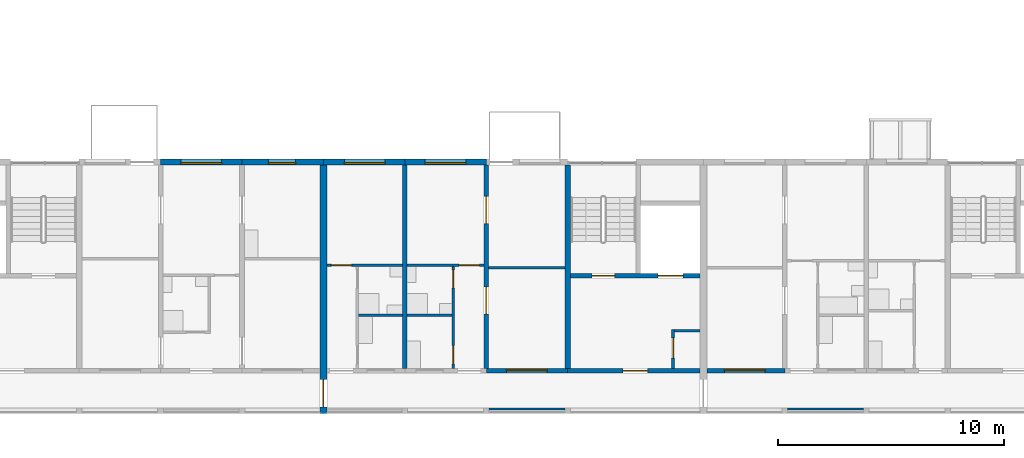
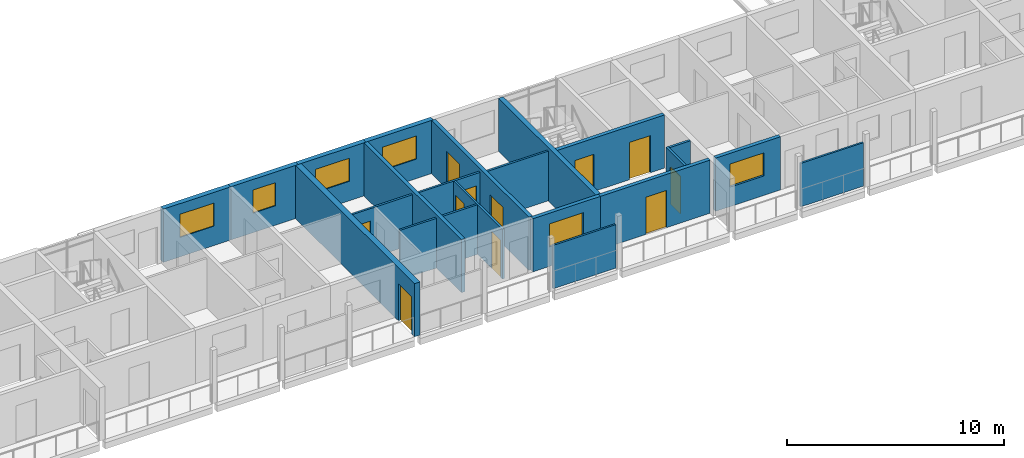
# One storey, part 42 of 78: 22 walls, 11 doors, 6 windows, 17 openings.
"""IFC4 building model written with IfcOpenShell, lengths in metres."""

from ifc_helpers import new_model, si_unit, direction, frame, frame_2d, origin, place, context, subcontext, project, spatial, rectangle, extrude, material, layer, layer_set, type_object, element, fill, save


model = new_model("IFC4")

# Units and contexts
model_context = context("Model", 3, precision=1e-05, world=origin(), true_north=direction((0.0, 1.0)))
body_context = subcontext(model_context, "Body", "Model", "MODEL_VIEW")
ifc_project = project(units=[si_unit("LENGTHUNIT", "METRE"), si_unit("AREAUNIT", "SQUARE_METRE"), si_unit("VOLUMEUNIT", "CUBIC_METRE"), si_unit("PLANEANGLEUNIT", "RADIAN"), si_unit("MASSUNIT", "GRAM", prefix="KILO")], contexts=[model_context])

# Site, building, storey
site_placement = place(None, origin())
site = spatial("IfcSite", under=ifc_project, at=site_placement, CompositionType="ELEMENT")
building_placement = place(site_placement, origin())
building = spatial("IfcBuilding", under=site, at=building_placement, Name="Ridgestep Commons", CompositionType="ELEMENT")
storey_placement = place(building_placement, frame((0.0, 0.0, 30.0)))
storey = spatial("IfcBuildingStorey", under=building, at=storey_placement, Name="L10", CompositionType="ELEMENT", Elevation=30.0)

# Wall
ifc_material_1 = material(Name="Concrete C30/37", Category="concrete")
ifc_layer_1 = layer(ifc_material_1, 0.25)
ifc_layer_set_1 = layer_set([ifc_layer_1], Name="Core cross wall 250")
wall_type_1 = type_object("IfcWallType", Name="Core cross wall 250", PredefinedType="SHEAR", material=ifc_layer_set_1)
wall_1_placement = place(storey_placement, frame((191.199951171875, 13.75, 0.0), z_axis=(0.0, 0.0, 1.0), x_axis=(0.0, 1.0, 0.0)))
element("IfcWall", 1, at=wall_1_placement, inside=storey, type_object=wall_type_1, Name="Cross wall D-10-1912", PredefinedType="SHEAR", context=body_context, shape_type="SweptSolid", body=[
    extrude(rectangle(XDim=9.0, YDim=0.25, at=frame_2d((4.5, 0.0))), origin(), (0.0, 0.0, 1.0), 3.0),
])

# Wall, opening, door
ifc_material_2 = material(Name="Concrete C30/37", Category="concrete")
ifc_layer_2 = layer(ifc_material_2, 0.199951171875)
ifc_layer_set_2 = layer_set([ifc_layer_2], Name="Core south wall 200")
wall_type_2 = type_object("IfcWallType", Name="Core south wall 200", PredefinedType="SHEAR", material=ifc_layer_set_2)
wall_2_placement = place(storey_placement, frame((191.199951171875, 13.64990234375, 0.0), z_axis=(0.0, 0.0, 1.0), x_axis=(1.0, 0.0, 0.0)))
wall_2 = element("IfcWall", 2, at=wall_2_placement, inside=storey, type_object=wall_type_2, Name="Core south wall D3C L10", PredefinedType="SHEAR", context=body_context, shape_type="SweptSolid", body=[
    extrude(rectangle(XDim=5.85009765625, YDim=0.199951171875, at=frame_2d((2.925048828125, 0.0))), origin(), (0.0, 0.0, 1.0), 3.0),
])
opening_1_placement = place(wall_2_placement, frame((2.4375, 0.0, 0.0)))
opening_1 = element("IfcOpeningElement", 3, at=opening_1_placement, cuts=wall_2, Name="Opening D3C/10/1", PredefinedType="OPENING", context=body_context, shape_type="SweptSolid", body=[
    extrude(rectangle(XDim=1.10009765625, YDim=2.10009765625, at=frame_2d((0.550048828125, 1.050048828125))), frame((0.0, 0.10986328125, 0.0), z_axis=(0.0, -1.0, 0.0), x_axis=(1.0, 0.0, 0.0)), (0.0, 0.0, 1.0), 0.219970703125),
])
ifc_material_3 = material(Name="Steel fire door", Category="steel")
door_type_1 = type_object("IfcDoorType", Name="Lobby door 1100 x 2100 FD60", OperationType="NOTDEFINED", PredefinedType="DOOR", material=ifc_material_3)
door_1_placement = place(opening_1_placement, origin())
door_1 = element("IfcDoor", 4, at=door_1_placement, inside=storey, type_object=door_type_1, Name="Lobby door D3C/10/1", OperationType="SINGLE_SWING_LEFT", OverallHeight=2.10009765625, OverallWidth=1.10009765625, PredefinedType="DOOR", context=body_context, shape_type="SweptSolid", body=[
    extrude(rectangle(XDim=1.10009765625, YDim=2.10009765625, at=frame_2d((0.550048828125, 1.050048828125))), frame((0.0, 0.02490234375, 0.0), z_axis=(0.0, -1.0, 0.0), x_axis=(1.0, 0.0, 0.0)), (0.0, 0.0, 1.0), 0.050048828125),
])
fill(opening_1, door_1)

ifc_material_4 = material(Name="Concrete C30/37", Category="concrete")
ifc_layer_3 = layer(ifc_material_4, 0.1201171875)
ifc_layer_set_3 = layer_set([ifc_layer_3], Name="Core wall 120")
wall_type_3 = type_object("IfcWallType", Name="Core wall 120", PredefinedType="SHEAR", material=ifc_layer_set_3)
wall_3_placement = place(storey_placement, frame((195.860107421875, 13.75, 0.0), z_axis=(0.0, 0.0, 1.0), x_axis=(0.0, 1.0, 0.0)))
wall_3 = element("IfcWall", 5, at=wall_3_placement, inside=storey, type_object=wall_type_3, Name="Core riser w wall D3C L10", PredefinedType="SHEAR", context=body_context, shape_type="SweptSolid", body=[
    extrude(rectangle(XDim=1.719970703125, YDim=0.1201171875, at=frame_2d((0.85986328125, 0.0))), origin(), (0.0, 0.0, 1.0), 3.0),
])
opening_2_placement = place(wall_3_placement, frame((0.449951171875, 0.0, 0.0)))
opening_2 = element("IfcOpeningElement", 6, at=opening_2_placement, cuts=wall_3, Name="Opening D3C/10/4", PredefinedType="OPENING", context=body_context, shape_type="SweptSolid", body=[
    extrude(rectangle(XDim=0.89990234375, YDim=2.10009765625, at=frame_2d((0.449951171875, 1.050048828125))), frame((0.0, 0.070068359375, 0.0), z_axis=(0.0, -1.0, 0.0), x_axis=(1.0, 0.0, 0.0)), (0.0, 0.0, 1.0), 0.14013671875),
])
ifc_material_5 = material(Name="Steel fire door", Category="steel")
door_type_2 = type_object("IfcDoorType", Name="Riser door 900 x 2100 FD60", OperationType="NOTDEFINED", PredefinedType="DOOR", material=ifc_material_5)
door_2_placement = place(opening_2_placement, origin())
door_2 = element("IfcDoor", 7, at=door_2_placement, inside=storey, type_object=door_type_2, Name="Riser door D3C/10/4", OperationType="SINGLE_SWING_LEFT", OverallHeight=2.10009765625, OverallWidth=0.89990234375, PredefinedType="DOOR", context=body_context, shape_type="SweptSolid", body=[
    extrude(rectangle(XDim=0.89990234375, YDim=2.10009765625, at=frame_2d((0.449951171875, 1.050048828125))), frame((0.0, 0.02490234375, 0.0), z_axis=(0.0, -1.0, 0.0), x_axis=(1.0, 0.0, 0.0)), (0.0, 0.0, 1.0), 0.050048828125),
])
fill(opening_2, door_2)

# Wall
wall_4_placement = place(storey_placement, frame((195.919921875, 15.409912109375, 0.0), z_axis=(0.0, 0.0, 1.0), x_axis=(1.0, 0.0, 0.0)))
element("IfcWall", 8, at=wall_4_placement, inside=storey, type_object=wall_type_3, Name="Core riser n wall D3C L10", PredefinedType="SHEAR", context=body_context, shape_type="SweptSolid", body=[
    extrude(rectangle(XDim=1.130126953125, YDim=0.1201171875, at=frame_2d((0.56494140625, 0.0))), origin(), (0.0, 0.0, 1.0), 3.0),
])

# Wall, openings, doors
ifc_material_6 = material(Name="Concrete C30/37", Category="concrete")
ifc_layer_4 = layer(ifc_material_6, 0.199951171875)
ifc_layer_set_4 = layer_set([ifc_layer_4], Name="Core wall 200")
wall_type_4 = type_object("IfcWallType", Name="Core wall 200", PredefinedType="SHEAR", material=ifc_layer_set_4)
wall_5_placement = place(storey_placement, frame((191.324951171875, 17.85009765625, 0.0), z_axis=(0.0, 0.0, 1.0), x_axis=(1.0, 0.0, 0.0)))
wall_5 = element("IfcWall", 9, at=wall_5_placement, inside=storey, type_object=wall_type_4, Name="Core lobby wall D3C L10", PredefinedType="SHEAR", context=body_context, shape_type="SweptSolid", body=[
    extrude(rectangle(XDim=5.72509765625, YDim=0.199951171875, at=frame_2d((2.862548828125, 0.0))), origin(), (0.0, 0.0, 1.0), 3.0),
])
opening_3_placement = place(wall_5_placement, frame((0.949951171875, 0.0, 0.0)))
opening_3 = element("IfcOpeningElement", 10, at=opening_3_placement, cuts=wall_5, Name="Opening D3C/10/2", PredefinedType="OPENING", context=body_context, shape_type="SweptSolid", body=[
    extrude(rectangle(XDim=1.0, YDim=2.10009765625, at=frame_2d((0.5, 1.050048828125))), frame((0.0, 0.10986328125, 0.0), z_axis=(0.0, -1.0, 0.0), x_axis=(1.0, 0.0, 0.0)), (0.0, 0.0, 1.0), 0.219970703125),
])
opening_4_placement = place(wall_5_placement, frame((3.862548828125, 0.0, 0.0)))
opening_4 = element("IfcOpeningElement", 11, at=opening_4_placement, cuts=wall_5, Name="Opening D3C/10/3", PredefinedType="OPENING", context=body_context, shape_type="SweptSolid", body=[
    extrude(rectangle(XDim=1.10009765625, YDim=2.10009765625, at=frame_2d((0.550048828125, 1.050048828125))), frame((0.0, 0.10986328125, 0.0), z_axis=(0.0, -1.0, 0.0), x_axis=(1.0, 0.0, 0.0)), (0.0, 0.0, 1.0), 0.219970703125),
])
ifc_material_7 = material(Name="Stainless steel", Category="steel")
door_type_3 = type_object("IfcDoorType", Name="Lift landing door 1100 x 2100 FD60", OperationType="DOUBLE_DOOR_SLIDING", PredefinedType="DOOR", material=ifc_material_7)
door_3_placement = place(opening_4_placement, origin())
door_3 = element("IfcDoor", 12, at=door_3_placement, inside=storey, type_object=door_type_3, Name="Landing door LD D3C L10", OperationType="DOUBLE_DOOR_SLIDING", OverallHeight=2.10009765625, OverallWidth=1.10009765625, PredefinedType="DOOR", context=body_context, shape_type="SweptSolid", body=[
    extrude(rectangle(XDim=1.10009765625, YDim=2.10009765625, at=frame_2d((0.550048828125, 1.050048828125))), frame((0.0, 0.02490234375, 0.0), z_axis=(0.0, -1.0, 0.0), x_axis=(1.0, 0.0, 0.0)), (0.0, 0.0, 1.0), 0.050048828125),
])
fill(opening_4, door_3)
ifc_material_8 = material(Name="Steel fire door", Category="steel")
door_type_4 = type_object("IfcDoorType", Name="Stair door 1000 x 2100 FD60", OperationType="NOTDEFINED", PredefinedType="DOOR", material=ifc_material_8)
door_4_placement = place(opening_3_placement, origin())
door_4 = element("IfcDoor", 13, at=door_4_placement, inside=storey, type_object=door_type_4, Name="Stair door D3C/10/2", OperationType="SINGLE_SWING_RIGHT", OverallHeight=2.10009765625, OverallWidth=1.0, PredefinedType="DOOR", context=body_context, shape_type="SweptSolid", body=[
    extrude(rectangle(XDim=1.0, YDim=2.10009765625, at=frame_2d((0.5, 1.050048828125))), frame((0.0, 0.02490234375, 0.0), z_axis=(0.0, -1.0, 0.0), x_axis=(1.0, 0.0, 0.0)), (0.0, 0.0, 1.0), 0.050048828125),
])
fill(opening_3, door_4)

# Wall
ifc_material_9 = material(Name="Precast concrete C40/50", Category="concrete")
ifc_layer_5 = layer(ifc_material_9, 0.199951171875)
ifc_layer_set_5 = layer_set([ifc_layer_5], Name="Cross wall 200")
wall_type_5 = type_object("IfcWallType", Name="Cross wall 200", PredefinedType="SHEAR", material=ifc_layer_set_5)
wall_6_placement = place(storey_placement, frame((184.0, 13.75, 0.0), z_axis=(0.0, 0.0, 1.0), x_axis=(0.0, 1.0, 0.0)))
element("IfcWall", 14, at=wall_6_placement, inside=storey, type_object=wall_type_5, Name="Cross wall D-10-1840", PredefinedType="SHEAR", context=body_context, shape_type="SweptSolid", body=[
    extrude(rectangle(XDim=9.0, YDim=0.199951171875, at=frame_2d((4.5, 0.0))), origin(), (0.0, 0.0, 1.0), 3.0),
])

# Wall, openings, doors
wall_7_placement = place(storey_placement, frame((187.60009765625, 13.75, 0.0), z_axis=(0.0, 0.0, 1.0), x_axis=(0.0, 1.0, 0.0)))
wall_7 = element("IfcWall", 15, at=wall_7_placement, inside=storey, type_object=wall_type_5, Name="Cross wall D-10-1876", PredefinedType="SHEAR", context=body_context, shape_type="SweptSolid", body=[
    extrude(rectangle(XDim=9.0, YDim=0.199951171875, at=frame_2d((4.5, 0.0))), origin(), (0.0, 0.0, 1.0), 3.0),
])
opening_5_placement = place(wall_7_placement, frame((2.39990234375, 0.0, 0.0)))
opening_5 = element("IfcOpeningElement", 16, at=opening_5_placement, cuts=wall_7, Name="Opening D3-10b/5", PredefinedType="OPENING", context=body_context, shape_type="SweptSolid", body=[
    extrude(rectangle(XDim=1.199951171875, YDim=2.10009765625, at=frame_2d((0.60009765625, 1.050048828125))), frame((0.0, 0.10986328125, 0.0), z_axis=(0.0, -1.0, 0.0), x_axis=(1.0, 0.0, 0.0)), (0.0, 0.0, 1.0), 0.219970703125),
])
opening_6_placement = place(wall_7_placement, frame((6.39990234375, 0.0, 0.0)))
opening_6 = element("IfcOpeningElement", 17, at=opening_6_placement, cuts=wall_7, Name="Opening D3-10b/6", PredefinedType="OPENING", context=body_context, shape_type="SweptSolid", body=[
    extrude(rectangle(XDim=1.199951171875, YDim=2.10009765625, at=frame_2d((0.60009765625, 1.050048828125))), frame((0.0, 0.10986328125, 0.0), z_axis=(0.0, -1.0, 0.0), x_axis=(1.0, 0.0, 0.0)), (0.0, 0.0, 1.0), 0.219970703125),
])
ifc_material_10 = material(Name="Timber door leaf", Category="wood")
door_type_5 = type_object("IfcDoorType", Name="Double door 1200 x 2100", OperationType="DOUBLE_DOOR_SINGLE_SWING", PredefinedType="DOOR", material=ifc_material_10)
door_5_placement = place(opening_5_placement, origin())
door_5 = element("IfcDoor", 18, at=door_5_placement, inside=storey, type_object=door_type_5, Name="Double door D3-10b/5", OperationType="DOUBLE_DOOR_SINGLE_SWING", OverallHeight=2.10009765625, OverallWidth=1.199951171875, PredefinedType="DOOR", context=body_context, shape_type="SweptSolid", body=[
    extrude(rectangle(XDim=1.199951171875, YDim=2.10009765625, at=frame_2d((0.60009765625, 1.050048828125))), frame((0.0, 0.02490234375, 0.0), z_axis=(0.0, -1.0, 0.0), x_axis=(1.0, 0.0, 0.0)), (0.0, 0.0, 1.0), 0.050048828125),
])
fill(opening_5, door_5)
door_6_placement = place(opening_6_placement, origin())
door_6 = element("IfcDoor", 19, at=door_6_placement, inside=storey, type_object=door_type_5, Name="Double door D3-10b/6", OperationType="DOUBLE_DOOR_SINGLE_SWING", OverallHeight=2.10009765625, OverallWidth=1.199951171875, PredefinedType="DOOR", context=body_context, shape_type="SweptSolid", body=[
    extrude(rectangle(XDim=1.199951171875, YDim=2.10009765625, at=frame_2d((0.60009765625, 1.050048828125))), frame((0.0, 0.02490234375, 0.0), z_axis=(0.0, -1.0, 0.0), x_axis=(1.0, 0.0, 0.0)), (0.0, 0.0, 1.0), 0.050048828125),
])
fill(opening_6, door_6)

# Wall, opening, door
ifc_material_11 = material(Name="Precast concrete C40/50", Category="concrete")
ifc_layer_6 = layer(ifc_material_11, 0.300048828125)
ifc_layer_set_6 = layer_set([ifc_layer_6], Name="Division wall 300")
wall_type_6 = type_object("IfcWallType", Name="Division wall 300", PredefinedType="SHEAR", material=ifc_layer_set_6)
wall_8_placement = place(storey_placement, frame((180.39990234375, 11.75, 0.0), z_axis=(0.0, 0.0, 1.0), x_axis=(0.0, 1.0, 0.0)))
wall_8 = element("IfcWall", 20, at=wall_8_placement, inside=storey, type_object=wall_type_6, Name="Cross wall D-10-1804", PredefinedType="SHEAR", context=body_context, shape_type="SweptSolid", body=[
    extrude(rectangle(XDim=11.0, YDim=0.300048828125, at=frame_2d((5.5, 0.0))), origin(), (0.0, 0.0, 1.0), 3.0),
])
opening_7_placement = place(wall_8_placement, frame((0.300048828125, 0.0, 0.0)))
opening_7 = element("IfcOpeningElement", 21, at=opening_7_placement, cuts=wall_8, Name="Opening D/10/G1804", PredefinedType="OPENING", context=body_context, shape_type="SweptSolid", body=[
    extrude(rectangle(XDim=1.199951171875, YDim=2.10009765625, at=frame_2d((0.60009765625, 1.050048828125))), frame((0.0, 0.159912109375, 0.0), z_axis=(0.0, -1.0, 0.0), x_axis=(1.0, 0.0, 0.0)), (0.0, 0.0, 1.0), 0.320068359375),
])
ifc_material_12 = material(Name="Steel fire door", Category="steel")
door_type_6 = type_object("IfcDoorType", Name="Division fire door 1200 x 2100 EI 240", OperationType="DOUBLE_DOOR_SINGLE_SWING", PredefinedType="DOOR", material=ifc_material_12)
door_7_placement = place(opening_7_placement, origin())
door_7 = element("IfcDoor", 22, at=door_7_placement, inside=storey, type_object=door_type_6, Name="Division fire door D/10/G1804", OperationType="DOUBLE_DOOR_SINGLE_SWING", OverallHeight=2.10009765625, OverallWidth=1.199951171875, PredefinedType="DOOR", context=body_context, shape_type="SweptSolid", body=[
    extrude(rectangle(XDim=1.199951171875, YDim=2.10009765625, at=frame_2d((0.60009765625, 1.050048828125))), frame((0.0, 0.02490234375, 0.0), z_axis=(0.0, -1.0, 0.0), x_axis=(1.0, 0.0, 0.0)), (0.0, 0.0, 1.0), 0.050048828125),
])
fill(opening_7, door_7)

# Wall, opening, window
ifc_material_13 = material(Name="Precast concrete C40/50", Category="concrete")
ifc_layer_7 = layer(ifc_material_13, 0.25)
ifc_layer_set_7 = layer_set([ifc_layer_7], Name="North facade panel 250")
wall_type_7 = type_object("IfcWallType", Name="North facade panel 250", PredefinedType="SOLIDWALL", material=ifc_layer_set_7)
wall_9_placement = place(storey_placement, frame((173.199951171875, 22.875, 0.0), z_axis=(0.0, 0.0, 1.0), x_axis=(1.0, 0.0, 0.0)))
wall_9 = element("IfcWall", 23, at=wall_9_placement, inside=storey, type_object=wall_type_7, Name="North panel D2T2 L10", PredefinedType="SOLIDWALL", context=body_context, shape_type="SweptSolid", body=[
    extrude(rectangle(XDim=3.60009765625, YDim=0.25, at=frame_2d((1.800048828125, 0.0))), origin(), (0.0, 0.0, 1.0), 3.0),
])
opening_8_placement = place(wall_9_placement, frame((0.89990234375, 0.0, 1.10009765625)))
opening_8 = element("IfcOpeningElement", 24, at=opening_8_placement, cuts=wall_9, Name="Opening W18", PredefinedType="OPENING", context=body_context, shape_type="SweptSolid", body=[
    extrude(rectangle(XDim=1.800048828125, YDim=1.300048828125, at=frame_2d((0.89990234375, 0.64990234375))), frame((0.0, 0.135009765625, 0.0), z_axis=(0.0, -1.0, 0.0), x_axis=(1.0, 0.0, 0.0)), (0.0, 0.0, 1.0), 0.27001953125),
])
ifc_material_14 = material(Name="Aluminium 6063-T6 and glass", Category="aluminium")
window_type_1 = type_object("IfcWindowType", Name="Flat window 1800 x 1300", PartitioningType="DOUBLE_PANEL_VERTICAL", PredefinedType="WINDOW", material=ifc_material_14)
window_1_placement = place(opening_8_placement, origin())
window_1 = element("IfcWindow", 25, at=window_1_placement, inside=storey, type_object=window_type_1, Name="Window D2-10a 5", OverallHeight=1.300048828125, OverallWidth=1.800048828125, PartitioningType="SINGLE_PANEL", PredefinedType="WINDOW", context=body_context, shape_type="SweptSolid", body=[
    extrude(rectangle(XDim=1.800048828125, YDim=1.300048828125, at=frame_2d((0.89990234375, 0.64990234375))), frame((0.0, -0.02490234375, 0.0), z_axis=(0.0, -1.0, 0.0), x_axis=(1.0, 0.0, 0.0)), (0.0, 0.0, 1.0), 0.06005859375),
])
fill(opening_8, window_1)

wall_10_placement = place(storey_placement, frame((176.800048828125, 22.875, 0.0), z_axis=(0.0, 0.0, 1.0), x_axis=(1.0, 0.0, 0.0)))
wall_10 = element("IfcWall", 26, at=wall_10_placement, inside=storey, type_object=wall_type_7, Name="North panel D2T1 L10", PredefinedType="SOLIDWALL", context=body_context, shape_type="SweptSolid", body=[
    extrude(rectangle(XDim=3.599853515625, YDim=0.25, at=frame_2d((1.7998046875, 0.0))), origin(), (0.0, 0.0, 1.0), 3.0),
])
opening_9_placement = place(wall_10_placement, frame((1.175048828125, 0.0, 1.10009765625)))
opening_9 = element("IfcOpeningElement", 27, at=opening_9_placement, cuts=wall_10, Name="Opening W08", PredefinedType="OPENING", context=body_context, shape_type="SweptSolid", body=[
    extrude(rectangle(XDim=1.199951171875, YDim=1.300048828125, at=frame_2d((0.60009765625, 0.64990234375))), frame((0.0, 0.135009765625, 0.0), z_axis=(0.0, -1.0, 0.0), x_axis=(1.0, 0.0, 0.0)), (0.0, 0.0, 1.0), 0.27001953125),
])
ifc_material_15 = material(Name="Aluminium 6063-T6 and glass", Category="aluminium")
window_type_2 = type_object("IfcWindowType", Name="Flat window 1200 x 1300", PartitioningType="SINGLE_PANEL", PredefinedType="WINDOW", material=ifc_material_15)
window_2_placement = place(opening_9_placement, origin())
window_2 = element("IfcWindow", 28, at=window_2_placement, inside=storey, type_object=window_type_2, Name="Window D2-10a 4", OverallHeight=1.300048828125, OverallWidth=1.199951171875, PartitioningType="SINGLE_PANEL", PredefinedType="WINDOW", context=body_context, shape_type="SweptSolid", body=[
    extrude(rectangle(XDim=1.199951171875, YDim=1.300048828125, at=frame_2d((0.60009765625, 0.64990234375))), frame((0.0, -0.02490234375, 0.0), z_axis=(0.0, -1.0, 0.0), x_axis=(1.0, 0.0, 0.0)), (0.0, 0.0, 1.0), 0.06005859375),
])
fill(opening_9, window_2)

wall_11_placement = place(storey_placement, frame((180.39990234375, 22.875, 0.0), z_axis=(0.0, 0.0, 1.0), x_axis=(1.0, 0.0, 0.0)))
wall_11 = element("IfcWall", 29, at=wall_11_placement, inside=storey, type_object=wall_type_7, Name="North panel D3T1 L10", PredefinedType="SOLIDWALL", context=body_context, shape_type="SweptSolid", body=[
    extrude(rectangle(XDim=3.60009765625, YDim=0.25, at=frame_2d((1.800048828125, 0.0))), origin(), (0.0, 0.0, 1.0), 3.0),
])
opening_10_placement = place(wall_11_placement, frame((0.925048828125, 0.0, 1.10009765625)))
opening_10 = element("IfcOpeningElement", 30, at=opening_10_placement, cuts=wall_11, Name="Opening W18", PredefinedType="OPENING", context=body_context, shape_type="SweptSolid", body=[
    extrude(rectangle(XDim=1.800048828125, YDim=1.300048828125, at=frame_2d((0.89990234375, 0.64990234375))), frame((0.0, 0.135009765625, 0.0), z_axis=(0.0, -1.0, 0.0), x_axis=(1.0, 0.0, 0.0)), (0.0, 0.0, 1.0), 0.27001953125),
])
window_3_placement = place(opening_10_placement, origin())
window_3 = element("IfcWindow", 31, at=window_3_placement, inside=storey, type_object=window_type_1, Name="Window D3-10a 2", OverallHeight=1.300048828125, OverallWidth=1.800048828125, PartitioningType="SINGLE_PANEL", PredefinedType="WINDOW", context=body_context, shape_type="SweptSolid", body=[
    extrude(rectangle(XDim=1.800048828125, YDim=1.300048828125, at=frame_2d((0.89990234375, 0.64990234375))), frame((0.0, -0.02490234375, 0.0), z_axis=(0.0, -1.0, 0.0), x_axis=(1.0, 0.0, 0.0)), (0.0, 0.0, 1.0), 0.06005859375),
])
fill(opening_10, window_3)

wall_12_placement = place(storey_placement, frame((184.0, 22.875, 0.0), z_axis=(0.0, 0.0, 1.0), x_axis=(1.0, 0.0, 0.0)))
wall_12 = element("IfcWall", 32, at=wall_12_placement, inside=storey, type_object=wall_type_7, Name="North panel D3T2 L10", PredefinedType="SOLIDWALL", context=body_context, shape_type="SweptSolid", body=[
    extrude(rectangle(XDim=3.60009765625, YDim=0.25, at=frame_2d((1.800048828125, 0.0))), origin(), (0.0, 0.0, 1.0), 3.0),
])
opening_11_placement = place(wall_12_placement, frame((0.89990234375, 0.0, 1.10009765625)))
opening_11 = element("IfcOpeningElement", 33, at=opening_11_placement, cuts=wall_12, Name="Opening W18", PredefinedType="OPENING", context=body_context, shape_type="SweptSolid", body=[
    extrude(rectangle(XDim=1.800048828125, YDim=1.300048828125, at=frame_2d((0.89990234375, 0.64990234375))), frame((0.0, 0.135009765625, 0.0), z_axis=(0.0, -1.0, 0.0), x_axis=(1.0, 0.0, 0.0)), (0.0, 0.0, 1.0), 0.27001953125),
])
window_4_placement = place(opening_11_placement, origin())
window_4 = element("IfcWindow", 34, at=window_4_placement, inside=storey, type_object=window_type_1, Name="Window D3-10b 4", OverallHeight=1.300048828125, OverallWidth=1.800048828125, PartitioningType="SINGLE_PANEL", PredefinedType="WINDOW", context=body_context, shape_type="SweptSolid", body=[
    extrude(rectangle(XDim=1.800048828125, YDim=1.300048828125, at=frame_2d((0.89990234375, 0.64990234375))), frame((0.0, -0.02490234375, 0.0), z_axis=(0.0, -1.0, 0.0), x_axis=(1.0, 0.0, 0.0)), (0.0, 0.0, 1.0), 0.06005859375),
])
fill(opening_11, window_4)

# Wall
ifc_material_16 = material(Name="Common brick 110 mm", Category="masonry")
ifc_layer_8 = layer(ifc_material_16, 0.110107421875)
ifc_layer_set_8 = layer_set([ifc_layer_8], Name="Partition 110")
wall_type_8 = type_object("IfcWallType", Name="Partition 110", PredefinedType="PARTITIONING", material=ifc_layer_set_8)
wall_13_placement = place(storey_placement, frame((181.9599609375, 16.10498046875, 0.0), z_axis=(0.0, 0.0, 1.0), x_axis=(1.0, 0.0, 0.0)))
element("IfcWall", 35, at=wall_13_placement, inside=storey, type_object=wall_type_8, Name="Partition D3-10a", PredefinedType="PARTITIONING", context=body_context, shape_type="SweptSolid", body=[
    extrude(rectangle(XDim=1.93994140625, YDim=0.110107421875, at=frame_2d((0.969970703125, 0.0))), origin(), (0.0, 0.0, 1.0), 2.800048828125),
])

# Wall, opening, door
wall_14_placement = place(storey_placement, frame((180.550048828125, 18.304931640625, 0.0), z_axis=(0.0, 0.0, 1.0), x_axis=(1.0, 0.0, 0.0)))
wall_14 = element("IfcWall", 36, at=wall_14_placement, inside=storey, type_object=wall_type_8, Name="Partition D3-10a", PredefinedType="PARTITIONING", context=body_context, shape_type="SweptSolid", body=[
    extrude(rectangle(XDim=3.349853515625, YDim=0.110107421875, at=frame_2d((1.6748046875, 0.0))), origin(), (0.0, 0.0, 1.0), 2.800048828125),
])
opening_12_placement = place(wall_14_placement, frame((0.199951171875, 0.0, 0.0)))
opening_12 = element("IfcOpeningElement", 37, at=opening_12_placement, cuts=wall_14, Name="Opening D3-10a/4", PredefinedType="OPENING", context=body_context, shape_type="SweptSolid", body=[
    extrude(rectangle(XDim=0.89990234375, YDim=2.10009765625, at=frame_2d((0.449951171875, 1.050048828125))), frame((0.0, 0.06494140625, 0.0), z_axis=(0.0, -1.0, 0.0), x_axis=(1.0, 0.0, 0.0)), (0.0, 0.0, 1.0), 0.130126953125),
])
ifc_material_17 = material(Name="Timber door leaf", Category="wood")
door_type_7 = type_object("IfcDoorType", Name="Internal door 900 x 2100", OperationType="NOTDEFINED", PredefinedType="DOOR", material=ifc_material_17)
door_8_placement = place(opening_12_placement, origin())
door_8 = element("IfcDoor", 38, at=door_8_placement, inside=storey, type_object=door_type_7, Name="Internal door D3-10a/4", OperationType="SINGLE_SWING_LEFT", OverallHeight=2.10009765625, OverallWidth=0.89990234375, PredefinedType="DOOR", context=body_context, shape_type="SweptSolid", body=[
    extrude(rectangle(XDim=0.89990234375, YDim=2.10009765625, at=frame_2d((0.449951171875, 1.050048828125))), frame((0.0, 0.02490234375, 0.0), z_axis=(0.0, -1.0, 0.0), x_axis=(1.0, 0.0, 0.0)), (0.0, 0.0, 1.0), 0.050048828125),
])
fill(opening_12, door_8)

# Wall
wall_15_placement = place(storey_placement, frame((184.10009765625, 16.10498046875, 0.0), z_axis=(0.0, 0.0, 1.0), x_axis=(1.0, 0.0, 0.0)))
element("IfcWall", 39, at=wall_15_placement, inside=storey, type_object=wall_type_8, Name="Partition D3-10b", PredefinedType="PARTITIONING", context=body_context, shape_type="SweptSolid", body=[
    extrude(rectangle(XDim=1.989990234375, YDim=0.110107421875, at=frame_2d((0.9951171875, 0.0))), origin(), (0.0, 0.0, 1.0), 2.800048828125),
])

# Wall, openings, doors
wall_16_placement = place(storey_placement, frame((186.14501953125, 13.75, 0.0), z_axis=(0.0, 0.0, 1.0), x_axis=(0.0, 1.0, 0.0)))
wall_16 = element("IfcWall", 40, at=wall_16_placement, inside=storey, type_object=wall_type_8, Name="Partition D3-10b", PredefinedType="PARTITIONING", context=body_context, shape_type="SweptSolid", body=[
    extrude(rectangle(XDim=4.5, YDim=0.110107421875, at=frame_2d((2.25, 0.0))), origin(), (0.0, 0.0, 1.0), 2.800048828125),
])
opening_13_placement = place(wall_16_placement, frame((0.199951171875, 0.0, 0.0)))
opening_13 = element("IfcOpeningElement", 41, at=opening_13_placement, cuts=wall_16, Name="Opening D3-10b/2", PredefinedType="OPENING", context=body_context, shape_type="SweptSolid", body=[
    extrude(rectangle(XDim=0.800048828125, YDim=2.10009765625, at=frame_2d((0.39990234375, 1.050048828125))), frame((0.0, 0.06494140625, 0.0), z_axis=(0.0, -1.0, 0.0), x_axis=(1.0, 0.0, 0.0)), (0.0, 0.0, 1.0), 0.130126953125),
])
opening_14_placement = place(wall_16_placement, frame((3.550048828125, 0.0, 0.0)))
opening_14 = element("IfcOpeningElement", 42, at=opening_14_placement, cuts=wall_16, Name="Opening D3-10b/3", PredefinedType="OPENING", context=body_context, shape_type="SweptSolid", body=[
    extrude(rectangle(XDim=0.800048828125, YDim=2.10009765625, at=frame_2d((0.39990234375, 1.050048828125))), frame((0.0, 0.06494140625, 0.0), z_axis=(0.0, -1.0, 0.0), x_axis=(1.0, 0.0, 0.0)), (0.0, 0.0, 1.0), 0.130126953125),
])
ifc_material_18 = material(Name="Timber door leaf", Category="wood")
door_type_8 = type_object("IfcDoorType", Name="Internal door 800 x 2100", OperationType="NOTDEFINED", PredefinedType="DOOR", material=ifc_material_18)
door_9_placement = place(opening_13_placement, origin())
door_9 = element("IfcDoor", 43, at=door_9_placement, inside=storey, type_object=door_type_8, Name="Internal door D3-10b/2", OperationType="SINGLE_SWING_LEFT", OverallHeight=2.10009765625, OverallWidth=0.800048828125, PredefinedType="DOOR", context=body_context, shape_type="SweptSolid", body=[
    extrude(rectangle(XDim=0.800048828125, YDim=2.10009765625, at=frame_2d((0.39990234375, 1.050048828125))), frame((0.0, 0.02490234375, 0.0), z_axis=(0.0, -1.0, 0.0), x_axis=(1.0, 0.0, 0.0)), (0.0, 0.0, 1.0), 0.050048828125),
])
fill(opening_13, door_9)
door_10_placement = place(opening_14_placement, origin())
door_10 = element("IfcDoor", 44, at=door_10_placement, inside=storey, type_object=door_type_8, Name="Internal door D3-10b/3", OperationType="SINGLE_SWING_RIGHT", OverallHeight=2.10009765625, OverallWidth=0.800048828125, PredefinedType="DOOR", context=body_context, shape_type="SweptSolid", body=[
    extrude(rectangle(XDim=0.800048828125, YDim=2.10009765625, at=frame_2d((0.39990234375, 1.050048828125))), frame((0.0, 0.02490234375, 0.0), z_axis=(0.0, -1.0, 0.0), x_axis=(1.0, 0.0, 0.0)), (0.0, 0.0, 1.0), 0.050048828125),
])
fill(opening_14, door_10)

# Wall, opening, door
wall_17_placement = place(storey_placement, frame((184.10009765625, 18.304931640625, 0.0), z_axis=(0.0, 0.0, 1.0), x_axis=(1.0, 0.0, 0.0)))
wall_17 = element("IfcWall", 45, at=wall_17_placement, inside=storey, type_object=wall_type_8, Name="Partition D3-10b", PredefinedType="PARTITIONING", context=body_context, shape_type="SweptSolid", body=[
    extrude(rectangle(XDim=3.39990234375, YDim=0.110107421875, at=frame_2d((1.699951171875, 0.0))), origin(), (0.0, 0.0, 1.0), 2.800048828125),
])
opening_15_placement = place(wall_17_placement, frame((2.300048828125, 0.0, 0.0)))
opening_15 = element("IfcOpeningElement", 46, at=opening_15_placement, cuts=wall_17, Name="Opening D3-10b/4", PredefinedType="OPENING", context=body_context, shape_type="SweptSolid", body=[
    extrude(rectangle(XDim=0.89990234375, YDim=2.10009765625, at=frame_2d((0.449951171875, 1.050048828125))), frame((0.0, 0.06494140625, 0.0), z_axis=(0.0, -1.0, 0.0), x_axis=(1.0, 0.0, 0.0)), (0.0, 0.0, 1.0), 0.130126953125),
])
door_11_placement = place(opening_15_placement, origin())
door_11 = element("IfcDoor", 47, at=door_11_placement, inside=storey, type_object=door_type_7, Name="Internal door D3-10b/4", OperationType="SINGLE_SWING_LEFT", OverallHeight=2.10009765625, OverallWidth=0.89990234375, PredefinedType="DOOR", context=body_context, shape_type="SweptSolid", body=[
    extrude(rectangle(XDim=0.89990234375, YDim=2.10009765625, at=frame_2d((0.449951171875, 1.050048828125))), frame((0.0, 0.02490234375, 0.0), z_axis=(0.0, -1.0, 0.0), x_axis=(1.0, 0.0, 0.0)), (0.0, 0.0, 1.0), 0.050048828125),
])
fill(opening_15, door_11)

# Walls
wall_18_placement = place(storey_placement, frame((187.699951171875, 18.205078125, 0.0), z_axis=(0.0, 0.0, 1.0), x_axis=(1.0, 0.0, 0.0)))
element("IfcWall", 48, at=wall_18_placement, inside=storey, type_object=wall_type_8, Name="Partition D3-10b", PredefinedType="PARTITIONING", context=body_context, shape_type="SweptSolid", body=[
    extrude(rectangle(XDim=3.375, YDim=0.110107421875, at=frame_2d((1.6875, 0.0))), origin(), (0.0, 0.0, 1.0), 2.800048828125),
])
ifc_material_19 = material(Name="Precast concrete C30/37", Category="concrete")
ifc_layer_9 = layer(ifc_material_19, 0.10009765625)
ifc_layer_set_9 = layer_set([ifc_layer_9], Name="Perforated gallery screen 3350 x 2450 x 100")
wall_type_9 = type_object("IfcWallType", Name="Perforated gallery screen 3350 x 2450 x 100", PredefinedType="SOLIDWALL", material=ifc_layer_set_9)
for number, where, z_axis, x_axis, name in (
    (49, (187.72509765625, 11.949951171875, 0.0), (0.0, 0.0, 1.0), (1.0, 0.0, 0.0), "Gallery screen D3T3 10"),
    (50, (200.925048828125, 11.949951171875, 0.0), (0.0, 0.0, 1.0), (1.0, 0.0, 0.0), "Gallery screen D4T2 10"),
):
    element("IfcWall", number, at=place(storey_placement, frame(where, z_axis=z_axis, x_axis=x_axis)), inside=storey, type_object=wall_type_9, Name=name, PredefinedType="SOLIDWALL", context=body_context, shape_type="SweptSolid", body=[
        extrude(rectangle(XDim=3.349853515625, YDim=0.10009765625, at=frame_2d((1.6748046875, 0.0))), origin(), (0.0, 0.0, 1.0), 2.449951171875),
    ])

# Wall, opening, window
ifc_material_20 = material(Name="Precast concrete C40/50", Category="concrete")
ifc_layer_10 = layer(ifc_material_20, 0.199951171875)
ifc_layer_set_10 = layer_set([ifc_layer_10], Name="South facade panel 200")
wall_type_10 = type_object("IfcWallType", Name="South facade panel 200", PredefinedType="SOLIDWALL", material=ifc_layer_set_10)
wall_19_placement = place(storey_placement, frame((187.60009765625, 13.64990234375, 0.0), z_axis=(0.0, 0.0, 1.0), x_axis=(1.0, 0.0, 0.0)))
wall_19 = element("IfcWall", 51, at=wall_19_placement, inside=storey, type_object=wall_type_10, Name="South panel D3T3 L10", PredefinedType="SOLIDWALL", context=body_context, shape_type="SweptSolid", body=[
    extrude(rectangle(XDim=3.599853515625, YDim=0.199951171875, at=frame_2d((1.7998046875, 0.0))), origin(), (0.0, 0.0, 1.0), 3.0),
])
opening_16_placement = place(wall_19_placement, frame((0.887451171875, 0.0, 1.10009765625)))
opening_16 = element("IfcOpeningElement", 52, at=opening_16_placement, cuts=wall_19, Name="Opening W18", PredefinedType="OPENING", context=body_context, shape_type="SweptSolid", body=[
    extrude(rectangle(XDim=1.800048828125, YDim=1.300048828125, at=frame_2d((0.89990234375, 0.64990234375))), frame((0.0, 0.10986328125, 0.0), z_axis=(0.0, -1.0, 0.0), x_axis=(1.0, 0.0, 0.0)), (0.0, 0.0, 1.0), 0.219970703125),
])
window_5_placement = place(opening_16_placement, origin())
window_5 = element("IfcWindow", 53, at=window_5_placement, inside=storey, type_object=window_type_1, Name="Window D3-10b 1", OverallHeight=1.300048828125, OverallWidth=1.800048828125, PartitioningType="SINGLE_PANEL", PredefinedType="WINDOW", context=body_context, shape_type="SweptSolid", body=[
    extrude(rectangle(XDim=1.800048828125, YDim=1.300048828125, at=frame_2d((0.89990234375, 0.64990234375))), frame((0.0, 0.06005859375, 0.0), z_axis=(0.0, -1.0, 0.0), x_axis=(1.0, 0.0, 0.0)), (0.0, 0.0, 1.0), 0.06005859375),
])
fill(opening_16, window_5)

wall_20_placement = place(storey_placement, frame((197.35009765625, 13.64990234375, 0.0), z_axis=(0.0, 0.0, 1.0), x_axis=(1.0, 0.0, 0.0)))
wall_20 = element("IfcWall", 54, at=wall_20_placement, inside=storey, type_object=wall_type_10, Name="South panel D4T1 L10", PredefinedType="SOLIDWALL", context=body_context, shape_type="SweptSolid", body=[
    extrude(rectangle(XDim=3.449951171875, YDim=0.199951171875, at=frame_2d((1.72509765625, 0.0))), origin(), (0.0, 0.0, 1.0), 3.0),
])
opening_17_placement = place(wall_20_placement, frame((0.77490234375, 0.0, 1.10009765625)))
opening_17 = element("IfcOpeningElement", 55, at=opening_17_placement, cuts=wall_20, Name="Opening W18", PredefinedType="OPENING", context=body_context, shape_type="SweptSolid", body=[
    extrude(rectangle(XDim=1.800048828125, YDim=1.300048828125, at=frame_2d((0.89990234375, 0.64990234375))), frame((0.0, 0.10986328125, 0.0), z_axis=(0.0, -1.0, 0.0), x_axis=(1.0, 0.0, 0.0)), (0.0, 0.0, 1.0), 0.219970703125),
])
window_6_placement = place(opening_17_placement, origin())
window_6 = element("IfcWindow", 56, at=window_6_placement, inside=storey, type_object=window_type_1, Name="Window D4-10a 1", OverallHeight=1.300048828125, OverallWidth=1.800048828125, PartitioningType="SINGLE_PANEL", PredefinedType="WINDOW", context=body_context, shape_type="SweptSolid", body=[
    extrude(rectangle(XDim=1.800048828125, YDim=1.300048828125, at=frame_2d((0.89990234375, 0.64990234375))), frame((0.0, 0.06005859375, 0.0), z_axis=(0.0, -1.0, 0.0), x_axis=(1.0, 0.0, 0.0)), (0.0, 0.0, 1.0), 0.06005859375),
])
fill(opening_17, window_6)

save(model, "model.ifc")
